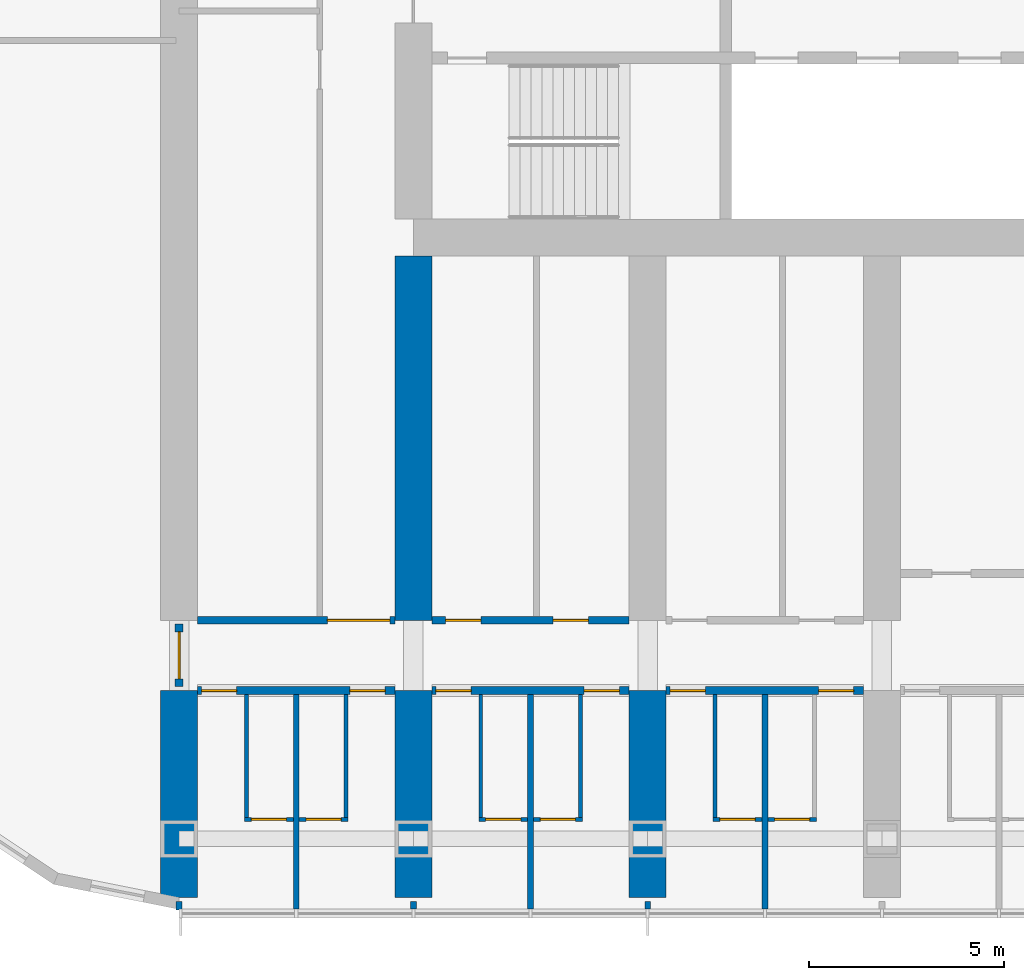
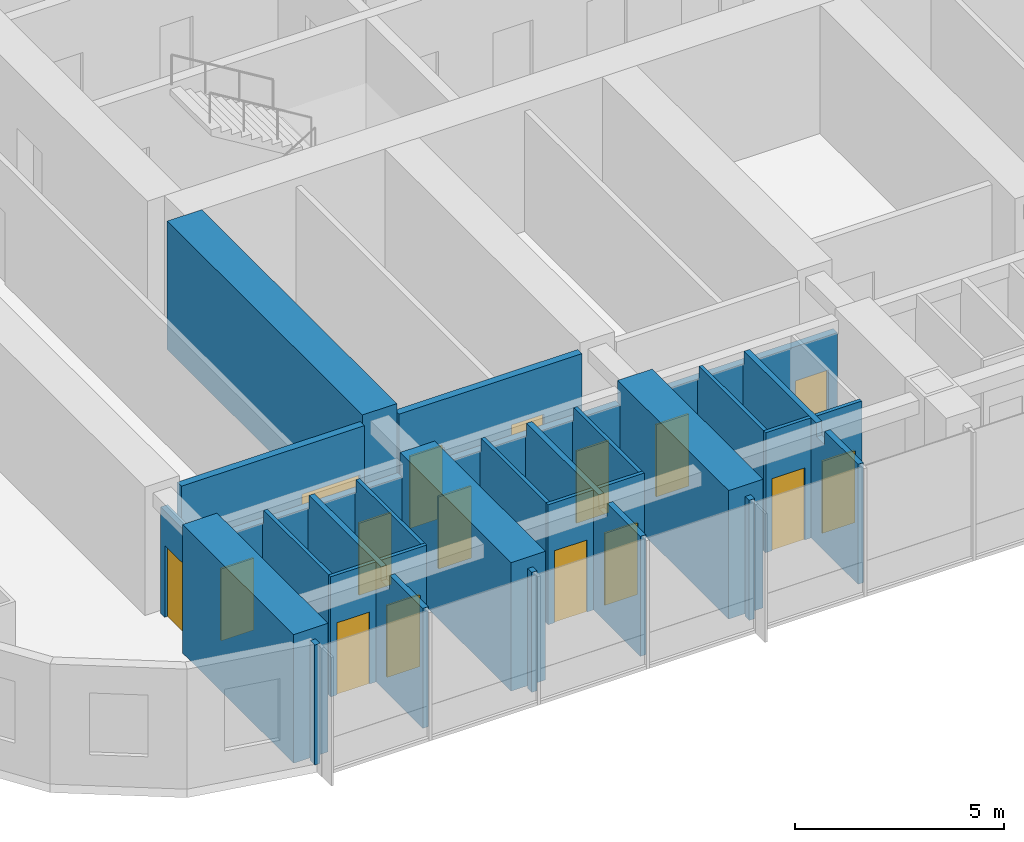
# One storey, part 8 of 22: 27 walls, 16 doors, 16 openings.
"""IFC4 building model written with IfcOpenShell, lengths in metres."""

from ifc_helpers import new_model, si_unit, direction, frame, frame_2d, origin, place, context, subcontext, project, spatial, polyline, rectangle, outline, extrude, material, layer, layer_set, type_object, element, fill, save


model = new_model("IFC4")

# Units and contexts
model_context = context("Model", 3, precision=1e-05, world=origin(), true_north=direction((0.0, 1.0)))
body_context = subcontext(model_context, "Body", "Model", "MODEL_VIEW")
ifc_project = project(units=[si_unit("LENGTHUNIT", "METRE"), si_unit("AREAUNIT", "SQUARE_METRE"), si_unit("VOLUMEUNIT", "CUBIC_METRE"), si_unit("PLANEANGLEUNIT", "RADIAN"), si_unit("MASSUNIT", "GRAM", prefix="KILO")], contexts=[model_context])

# Site, building, storey
site_placement = place(None, origin())
site = spatial("IfcSite", under=ifc_project, at=site_placement, CompositionType="ELEMENT")
building_placement = place(site_placement, origin())
building = spatial("IfcBuilding", under=site, at=building_placement, Name="Orbita Commons", CompositionType="ELEMENT")
storey_placement = place(building_placement, frame((0.0, 0.0, 121.89990234375)))
storey = spatial("IfcBuildingStorey", under=building, at=storey_placement, Name="L30", CompositionType="ELEMENT", Elevation=121.89990234375)

# Wall, openings, doors
ifc_material_1 = material(Name="Concrete blockwork", Category="masonry")
ifc_layer_1 = layer(ifc_material_1, 0.199951171875)
ifc_layer_set_1 = layer_set([ifc_layer_1], Name="Concrete blockwork")
wall_type_1 = type_object("IfcWallType", Name="Corridor wall 200 blockwork", PredefinedType="SOLIDWALL", material=ifc_layer_set_1)
wall_1_placement = place(storey_placement, frame((12.47509765625, 14.199951171875, 0.0), z_axis=(0.0, 0.0, 1.0), x_axis=(1.0, 0.0, 0.0)))
wall_1 = element("IfcWall", 1, at=wall_1_placement, inside=storey, type_object=wall_type_1, Name="Corridor wall 200 blockwork L30", PredefinedType="SOLIDWALL", context=body_context, shape_type="SweptSolid", body=[
    extrude(outline(polyline([(0.0, 0.0), (5.0498046875, 0.0), (5.050048828125, 3.10009765625), (0.0, 3.10009765625), (0.0, 0.0)])), frame((0.0, 0.10009765625, 0.0), z_axis=(0.0, -1.0, 0.0), x_axis=(1.0, 0.0, 0.0)), (0.0, 0.0, 1.0), 0.199951171875),
])
opening_1_placement = place(wall_1_placement, frame((0.10009765625, 0.0, 0.0)))
opening_1 = element("IfcOpeningElement", 2, at=opening_1_placement, cuts=wall_1, Name="Opening D11", PredefinedType="OPENING", context=body_context, shape_type="SweptSolid", body=[
    extrude(rectangle(XDim=0.89990234375, YDim=2.10009765625, at=frame_2d((0.449951171875, 1.050048828125))), frame((0.0, 0.10986328125, 0.0), z_axis=(0.0, -1.0, 0.0), x_axis=(1.0, 0.0, 0.0)), (0.0, 0.0, 1.0), 0.219970703125),
])
opening_2_placement = place(wall_1_placement, frame((3.89990234375, 0.0, 0.0)))
opening_2 = element("IfcOpeningElement", 3, at=opening_2_placement, cuts=wall_1, Name="Opening D11", PredefinedType="OPENING", context=body_context, shape_type="SweptSolid", body=[
    extrude(rectangle(XDim=0.89990234375, YDim=2.10009765625, at=frame_2d((0.449951171875, 1.050048828125))), frame((0.0, 0.10986328125, 0.0), z_axis=(0.0, -1.0, 0.0), x_axis=(1.0, 0.0, 0.0)), (0.0, 0.0, 1.0), 0.219970703125),
])
ifc_material_2 = material(Name="Steel-faced fire door leaf", Category="steel")
door_type_1 = type_object("IfcDoorType", Name="Corridor door 20 min 900x2100", OperationType="SINGLE_SWING_LEFT", PredefinedType="DOOR", material=ifc_material_2)
door_1_placement = place(opening_1_placement, origin())
door_1 = element("IfcDoor", 4, at=door_1_placement, inside=storey, type_object=door_type_1, Name="Cluster bedroom L30-S00 door", OperationType="SINGLE_SWING_LEFT", OverallHeight=2.10009765625, OverallWidth=0.89990234375, PredefinedType="DOOR", context=body_context, shape_type="SweptSolid", body=[
    extrude(rectangle(XDim=0.89990234375, YDim=2.10009765625, at=frame_2d((0.449951171875, 1.050048828125))), frame((0.0, 0.02490234375, 0.0), z_axis=(0.0, -1.0, 0.0), x_axis=(1.0, 0.0, 0.0)), (0.0, 0.0, 1.0), 0.050048828125),
])
fill(opening_1, door_1)
door_2_placement = place(opening_2_placement, origin())
door_2 = element("IfcDoor", 5, at=door_2_placement, inside=storey, type_object=door_type_1, Name="Cluster bedroom L30-S01 door", OperationType="SINGLE_SWING_LEFT", OverallHeight=2.10009765625, OverallWidth=0.89990234375, PredefinedType="DOOR", context=body_context, shape_type="SweptSolid", body=[
    extrude(rectangle(XDim=0.89990234375, YDim=2.10009765625, at=frame_2d((0.449951171875, 1.050048828125))), frame((0.0, 0.02490234375, 0.0), z_axis=(0.0, -1.0, 0.0), x_axis=(1.0, 0.0, 0.0)), (0.0, 0.0, 1.0), 0.050048828125),
])
fill(opening_2, door_2)

wall_2_placement = place(storey_placement, frame((18.47509765625, 14.199951171875, 0.0), z_axis=(0.0, 0.0, 1.0), x_axis=(1.0, 0.0, 0.0)))
wall_2 = element("IfcWall", 6, at=wall_2_placement, inside=storey, type_object=wall_type_1, Name="Corridor wall 200 blockwork L30", PredefinedType="SOLIDWALL", context=body_context, shape_type="SweptSolid", body=[
    extrude(outline(polyline([(0.0, 0.0), (5.0498046875, 0.0), (5.050048828125, 3.10009765625), (0.0, 3.10009765625), (0.0, 0.0)])), frame((0.0, 0.10009765625, 0.0), z_axis=(0.0, -1.0, 0.0), x_axis=(1.0, 0.0, 0.0)), (0.0, 0.0, 1.0), 0.199951171875),
])
opening_3_placement = place(wall_2_placement, frame((0.10009765625, 0.0, 0.0)))
opening_3 = element("IfcOpeningElement", 7, at=opening_3_placement, cuts=wall_2, Name="Opening D11", PredefinedType="OPENING", context=body_context, shape_type="SweptSolid", body=[
    extrude(rectangle(XDim=0.89990234375, YDim=2.10009765625, at=frame_2d((0.449951171875, 1.050048828125))), frame((0.0, 0.10986328125, 0.0), z_axis=(0.0, -1.0, 0.0), x_axis=(1.0, 0.0, 0.0)), (0.0, 0.0, 1.0), 0.219970703125),
])
opening_4_placement = place(wall_2_placement, frame((3.89990234375, 0.0, 0.0)))
opening_4 = element("IfcOpeningElement", 8, at=opening_4_placement, cuts=wall_2, Name="Opening D11", PredefinedType="OPENING", context=body_context, shape_type="SweptSolid", body=[
    extrude(rectangle(XDim=0.89990234375, YDim=2.10009765625, at=frame_2d((0.449951171875, 1.050048828125))), frame((0.0, 0.10986328125, 0.0), z_axis=(0.0, -1.0, 0.0), x_axis=(1.0, 0.0, 0.0)), (0.0, 0.0, 1.0), 0.219970703125),
])
door_3_placement = place(opening_3_placement, origin())
door_3 = element("IfcDoor", 9, at=door_3_placement, inside=storey, type_object=door_type_1, Name="Cluster bedroom L30-S02 door", OperationType="SINGLE_SWING_LEFT", OverallHeight=2.10009765625, OverallWidth=0.89990234375, PredefinedType="DOOR", context=body_context, shape_type="SweptSolid", body=[
    extrude(rectangle(XDim=0.89990234375, YDim=2.10009765625, at=frame_2d((0.449951171875, 1.050048828125))), frame((0.0, 0.02490234375, 0.0), z_axis=(0.0, -1.0, 0.0), x_axis=(1.0, 0.0, 0.0)), (0.0, 0.0, 1.0), 0.050048828125),
])
fill(opening_3, door_3)
door_4_placement = place(opening_4_placement, origin())
door_4 = element("IfcDoor", 10, at=door_4_placement, inside=storey, type_object=door_type_1, Name="Cluster bedroom L30-S03 door", OperationType="SINGLE_SWING_LEFT", OverallHeight=2.10009765625, OverallWidth=0.89990234375, PredefinedType="DOOR", context=body_context, shape_type="SweptSolid", body=[
    extrude(rectangle(XDim=0.89990234375, YDim=2.10009765625, at=frame_2d((0.449951171875, 1.050048828125))), frame((0.0, 0.02490234375, 0.0), z_axis=(0.0, -1.0, 0.0), x_axis=(1.0, 0.0, 0.0)), (0.0, 0.0, 1.0), 0.050048828125),
])
fill(opening_4, door_4)

wall_3_placement = place(storey_placement, frame((24.47509765625, 14.199951171875, 0.0), z_axis=(0.0, 0.0, 1.0), x_axis=(1.0, 0.0, 0.0)))
wall_3 = element("IfcWall", 11, at=wall_3_placement, inside=storey, type_object=wall_type_1, Name="Corridor wall 200 blockwork L30", PredefinedType="SOLIDWALL", context=body_context, shape_type="SweptSolid", body=[
    extrude(outline(polyline([(0.0, 0.0), (5.0498046875, 0.0), (5.050048828125, 3.10009765625), (0.0, 3.10009765625), (0.0, 0.0)])), frame((0.0, 0.10009765625, 0.0), z_axis=(0.0, -1.0, 0.0), x_axis=(1.0, 0.0, 0.0)), (0.0, 0.0, 1.0), 0.199951171875),
])
opening_5_placement = place(wall_3_placement, frame((0.10009765625, 0.0, 0.0)))
opening_5 = element("IfcOpeningElement", 12, at=opening_5_placement, cuts=wall_3, Name="Opening D11", PredefinedType="OPENING", context=body_context, shape_type="SweptSolid", body=[
    extrude(rectangle(XDim=0.89990234375, YDim=2.10009765625, at=frame_2d((0.449951171875, 1.050048828125))), frame((0.0, 0.10986328125, 0.0), z_axis=(0.0, -1.0, 0.0), x_axis=(1.0, 0.0, 0.0)), (0.0, 0.0, 1.0), 0.219970703125),
])
opening_6_placement = place(wall_3_placement, frame((3.89990234375, 0.0, 0.0)))
opening_6 = element("IfcOpeningElement", 13, at=opening_6_placement, cuts=wall_3, Name="Opening D11", PredefinedType="OPENING", context=body_context, shape_type="SweptSolid", body=[
    extrude(rectangle(XDim=0.89990234375, YDim=2.10009765625, at=frame_2d((0.449951171875, 1.050048828125))), frame((0.0, 0.10986328125, 0.0), z_axis=(0.0, -1.0, 0.0), x_axis=(1.0, 0.0, 0.0)), (0.0, 0.0, 1.0), 0.219970703125),
])
door_5_placement = place(opening_5_placement, origin())
door_5 = element("IfcDoor", 14, at=door_5_placement, inside=storey, type_object=door_type_1, Name="Cluster bedroom L30-S04 door", OperationType="SINGLE_SWING_LEFT", OverallHeight=2.10009765625, OverallWidth=0.89990234375, PredefinedType="DOOR", context=body_context, shape_type="SweptSolid", body=[
    extrude(rectangle(XDim=0.89990234375, YDim=2.10009765625, at=frame_2d((0.449951171875, 1.050048828125))), frame((0.0, 0.02490234375, 0.0), z_axis=(0.0, -1.0, 0.0), x_axis=(1.0, 0.0, 0.0)), (0.0, 0.0, 1.0), 0.050048828125),
])
fill(opening_5, door_5)
door_6_placement = place(opening_6_placement, origin())
door_6 = element("IfcDoor", 15, at=door_6_placement, inside=storey, type_object=door_type_1, Name="Cluster bedroom L30-S05 door", OperationType="SINGLE_SWING_LEFT", OverallHeight=2.10009765625, OverallWidth=0.89990234375, PredefinedType="DOOR", context=body_context, shape_type="SweptSolid", body=[
    extrude(rectangle(XDim=0.89990234375, YDim=2.10009765625, at=frame_2d((0.449951171875, 1.050048828125))), frame((0.0, 0.02490234375, 0.0), z_axis=(0.0, -1.0, 0.0), x_axis=(1.0, 0.0, 0.0)), (0.0, 0.0, 1.0), 0.050048828125),
])
fill(opening_6, door_6)

# Wall, opening, door
wall_4_placement = place(storey_placement, frame((12.0, 14.300048828125, 0.0), z_axis=(0.0, 0.0, 1.0), x_axis=(0.0, 1.0, 0.0)))
wall_4 = element("IfcWall", 16, at=wall_4_placement, inside=storey, type_object=wall_type_1, Name="Corridor wall 200 blockwork L30", PredefinedType="SOLIDWALL", context=body_context, shape_type="SweptSolid", body=[
    extrude(outline(polyline([(0.0, 0.0), (1.599853515625, 0.0), (1.60009765625, 3.10009765625), (0.0, 3.10009765625), (0.0, 0.0)])), frame((0.0, 0.10009765625, 0.0), z_axis=(0.0, -1.0, 0.0), x_axis=(1.0, 0.0, 0.0)), (0.0, 0.0, 1.0), 0.199951171875),
])
opening_7_placement = place(wall_4_placement, frame((0.199951171875, 0.0, 0.0)))
opening_7 = element("IfcOpeningElement", 17, at=opening_7_placement, cuts=wall_4, Name="Opening D12", PredefinedType="OPENING", context=body_context, shape_type="SweptSolid", body=[
    extrude(rectangle(XDim=1.199951171875, YDim=2.10009765625, at=frame_2d((0.60009765625, 1.050048828125))), frame((0.0, 0.10986328125, 0.0), z_axis=(0.0, -1.0, 0.0), x_axis=(1.0, 0.0, 0.0)), (0.0, 0.0, 1.0), 0.219970703125),
])
ifc_material_3 = material(Name="Steel-faced fire door leaf", Category="steel")
door_type_2 = type_object("IfcDoorType", Name="Double corridor door 20 min 1200x2100", OperationType="DOUBLE_DOOR_SINGLE_SWING", PredefinedType="DOOR", material=ifc_material_3)
door_7_placement = place(opening_7_placement, origin())
door_7 = element("IfcDoor", 18, at=door_7_placement, inside=storey, type_object=door_type_2, Name="Lounge doors", OperationType="DOUBLE_DOOR_SINGLE_SWING", OverallHeight=2.10009765625, OverallWidth=1.199951171875, PredefinedType="DOOR", context=body_context, shape_type="SweptSolid", body=[
    extrude(rectangle(XDim=1.199951171875, YDim=2.10009765625, at=frame_2d((0.60009765625, 1.050048828125))), frame((0.0, 0.02490234375, 0.0), z_axis=(0.0, -1.0, 0.0), x_axis=(1.0, 0.0, 0.0)), (0.0, 0.0, 1.0), 0.050048828125),
])
fill(opening_7, door_7)

ifc_material_4 = material(Name="Hollow concrete block 200", Category="concrete")
ifc_layer_2 = layer(ifc_material_4, 0.199951171875)
ifc_layer_set_2 = layer_set([ifc_layer_2], Name="Hollow concrete block 200")
wall_type_2 = type_object("IfcWallType", Name="Corridor wall 200 hollow concrete block", PredefinedType="SOLIDWALL", material=ifc_layer_set_2)
wall_5_placement = place(storey_placement, frame((12.47509765625, 16.0, 0.0), z_axis=(0.0, 0.0, 1.0), x_axis=(1.0, 0.0, 0.0)))
wall_5 = element("IfcWall", 19, at=wall_5_placement, inside=storey, type_object=wall_type_2, Name="Corridor wall 200 hollow concrete block L30", PredefinedType="SOLIDWALL", context=body_context, shape_type="SweptSolid", body=[
    extrude(rectangle(XDim=5.0498046875, YDim=0.199951171875, at=frame_2d((2.52490234375, 0.0))), origin(), (0.0, 0.0, 1.0), 3.5),
])
opening_8_placement = place(wall_5_placement, frame((3.324951171875, 0.0, 0.0)))
opening_8 = element("IfcOpeningElement", 20, at=opening_8_placement, cuts=wall_5, Name="Opening D10", PredefinedType="OPENING", context=body_context, shape_type="SweptSolid", body=[
    extrude(rectangle(XDim=1.60009765625, YDim=2.10009765625, at=frame_2d((0.800048828125, 1.050048828125))), frame((0.0, 0.10986328125, 0.0), z_axis=(0.0, -1.0, 0.0), x_axis=(1.0, 0.0, 0.0)), (0.0, 0.0, 1.0), 0.219970703125),
])
ifc_material_5 = material(Name="Steel-faced fire door leaf", Category="steel")
door_type_3 = type_object("IfcDoorType", Name="Double corridor door 20 min 1600x2100", OperationType="DOUBLE_DOOR_SINGLE_SWING", PredefinedType="DOOR", material=ifc_material_5)
door_8_placement = place(opening_8_placement, origin())
door_8 = element("IfcDoor", 21, at=door_8_placement, inside=storey, type_object=door_type_3, Name="Cross corridor doors", OperationType="DOUBLE_DOOR_SINGLE_SWING", OverallHeight=2.10009765625, OverallWidth=1.60009765625, PredefinedType="DOOR", context=body_context, shape_type="SweptSolid", body=[
    extrude(rectangle(XDim=1.60009765625, YDim=2.10009765625, at=frame_2d((0.800048828125, 1.050048828125))), frame((0.0, 0.02490234375, 0.0), z_axis=(0.0, -1.0, 0.0), x_axis=(1.0, 0.0, 0.0)), (0.0, 0.0, 1.0), 0.050048828125),
])
fill(opening_8, door_8)

# Wall, openings, doors
wall_6_placement = place(storey_placement, frame((18.47509765625, 16.0, 0.0), z_axis=(0.0, 0.0, 1.0), x_axis=(1.0, 0.0, 0.0)))
wall_6 = element("IfcWall", 22, at=wall_6_placement, inside=storey, type_object=wall_type_2, Name="Corridor wall 200 hollow concrete block L30", PredefinedType="SOLIDWALL", context=body_context, shape_type="SweptSolid", body=[
    extrude(rectangle(XDim=5.0498046875, YDim=0.199951171875, at=frame_2d((2.52490234375, 0.0))), origin(), (0.0, 0.0, 1.0), 3.5),
])
opening_9_placement = place(wall_6_placement, frame((0.35009765625, 0.0, 0.0)))
opening_9 = element("IfcOpeningElement", 23, at=opening_9_placement, cuts=wall_6, Name="Opening D11", PredefinedType="OPENING", context=body_context, shape_type="SweptSolid", body=[
    extrude(rectangle(XDim=0.89990234375, YDim=2.10009765625, at=frame_2d((0.449951171875, 1.050048828125))), frame((0.0, 0.10986328125, 0.0), z_axis=(0.0, -1.0, 0.0), x_axis=(1.0, 0.0, 0.0)), (0.0, 0.0, 1.0), 0.219970703125),
])
opening_10_placement = place(wall_6_placement, frame((3.10498046875, 0.0, 0.0)))
opening_10 = element("IfcOpeningElement", 24, at=opening_10_placement, cuts=wall_6, Name="Opening D11", PredefinedType="OPENING", context=body_context, shape_type="SweptSolid", body=[
    extrude(rectangle(XDim=0.89990234375, YDim=2.10009765625, at=frame_2d((0.449951171875, 1.050048828125))), frame((0.0, 0.10986328125, 0.0), z_axis=(0.0, -1.0, 0.0), x_axis=(1.0, 0.0, 0.0)), (0.0, 0.0, 1.0), 0.219970703125),
])
door_9_placement = place(opening_9_placement, origin())
door_9 = element("IfcDoor", 25, at=door_9_placement, inside=storey, type_object=door_type_1, Name="Accessible WC and shower room L30-BDS18n door", OperationType="SINGLE_SWING_LEFT", OverallHeight=2.10009765625, OverallWidth=0.89990234375, PredefinedType="DOOR", context=body_context, shape_type="SweptSolid", body=[
    extrude(rectangle(XDim=0.89990234375, YDim=2.10009765625, at=frame_2d((0.449951171875, 1.050048828125))), frame((0.0, 0.02490234375, 0.0), z_axis=(0.0, -1.0, 0.0), x_axis=(1.0, 0.0, 0.0)), (0.0, 0.0, 1.0), 0.050048828125),
])
fill(opening_9, door_9)
door_10_placement = place(opening_10_placement, origin())
door_10 = element("IfcDoor", 26, at=door_10_placement, inside=storey, type_object=door_type_1, Name="Meeting room L30-BDS18 door", OperationType="SINGLE_SWING_LEFT", OverallHeight=2.10009765625, OverallWidth=0.89990234375, PredefinedType="DOOR", context=body_context, shape_type="SweptSolid", body=[
    extrude(rectangle(XDim=0.89990234375, YDim=2.10009765625, at=frame_2d((0.449951171875, 1.050048828125))), frame((0.0, 0.02490234375, 0.0), z_axis=(0.0, -1.0, 0.0), x_axis=(1.0, 0.0, 0.0)), (0.0, 0.0, 1.0), 0.050048828125),
])
fill(opening_10, door_10)

# Walls
ifc_material_6 = material(Name="Concrete C50/60", Category="concrete")
ifc_layer_3 = layer(ifc_material_6, 0.949951171875)
ifc_layer_set_3 = layer_set([ifc_layer_3], Name="Concrete C50/60")
wall_type_3 = type_object("IfcWallType", Name="Cross wall 950 C50/60", PredefinedType="SHEAR", material=ifc_layer_set_3)
for number, where, z_axis, x_axis, name in (
    (27, (12.0, 8.89990234375, 0.0), (0.0, 0.0, 1.0), (0.0, 1.0, 0.0), "Cross wall 3 south outer L30"),
    (28, (18.0, 8.89990234375, 0.0), (0.0, 0.0, 1.0), (0.0, 1.0, 0.0), "Cross wall 4 south outer L30"),
):
    element("IfcWall", number, at=place(storey_placement, frame(where, z_axis=z_axis, x_axis=x_axis)), inside=storey, type_object=wall_type_3, Name=name, PredefinedType="SHEAR", context=body_context, shape_type="SweptSolid", body=[
        extrude(rectangle(XDim=5.300048828125, YDim=0.949951171875, at=frame_2d((2.64990234375, 0.0))), origin(), (0.0, 0.0, 1.0), 3.75),
    ])
wall_7_placement = place(storey_placement, frame((18.0, 16.0, 0.0), z_axis=(0.0, 0.0, 1.0), x_axis=(0.0, 1.0, 0.0)))
element("IfcWall", 29, at=wall_7_placement, inside=storey, type_object=wall_type_3, Name="Cross wall 4 south inner L30", PredefinedType="SHEAR", context=body_context, shape_type="SweptSolid", body=[
    extrude(rectangle(XDim=9.324951171875, YDim=0.949951171875, at=frame_2d((4.66259765625, 0.0))), origin(), (0.0, 0.0, 1.0), 3.75),
])
wall_8_placement = place(storey_placement, frame((24.0, 8.89990234375, 0.0), z_axis=(0.0, 0.0, 1.0), x_axis=(0.0, 1.0, 0.0)))
element("IfcWall", 30, at=wall_8_placement, inside=storey, type_object=wall_type_3, Name="Cross wall 5 south outer L30", PredefinedType="SHEAR", context=body_context, shape_type="SweptSolid", body=[
    extrude(rectangle(XDim=5.300048828125, YDim=0.949951171875, at=frame_2d((2.64990234375, 0.0))), origin(), (0.0, 0.0, 1.0), 3.75),
])

# Wall, opening, door
ifc_material_7 = material(Name="Moisture-resistant plasterboard on steel studs", Category="steel")
ifc_layer_4 = layer(ifc_material_7, 0.10009765625)
ifc_layer_set_4 = layer_set([ifc_layer_4], Name="Moisture-resistant plasterboard on steel studs")
wall_type_4 = type_object("IfcWallType", Name="En-suite partition 100", PredefinedType="PARTITIONING", material=ifc_layer_set_4)
wall_9_placement = place(storey_placement, frame((14.925048828125, 10.89990234375, 0.0), z_axis=(0.0, 0.0, 1.0), x_axis=(-1.0, 0.0, 0.0)))
wall_9 = element("IfcWall", 31, at=wall_9_placement, inside=storey, type_object=wall_type_4, Name="En-suite partition 100 L30", PredefinedType="PARTITIONING", context=body_context, shape_type="SweptSolid", body=[
    extrude(rectangle(XDim=1.25, YDim=0.10009765625, at=frame_2d((0.625, 0.0))), origin(), (0.0, 0.0, 1.0), 3.5),
])
opening_11_placement = place(wall_9_placement, frame((0.175048828125, 0.0, 0.0)))
opening_11 = element("IfcOpeningElement", 32, at=opening_11_placement, cuts=wall_9, Name="Opening D09", PredefinedType="OPENING", context=body_context, shape_type="SweptSolid", body=[
    extrude(rectangle(XDim=0.89990234375, YDim=2.10009765625, at=frame_2d((0.449951171875, 1.050048828125))), frame((0.0, 0.06005859375, 0.0), z_axis=(0.0, -1.0, 0.0), x_axis=(1.0, 0.0, 0.0)), (0.0, 0.0, 1.0), 0.1201171875),
])
ifc_material_8 = material(Name="Laminated timber door leaf", Category="wood")
door_type_4 = type_object("IfcDoorType", Name="En-suite door 900x2100", OperationType="SINGLE_SWING_RIGHT", PredefinedType="DOOR", material=ifc_material_8)
door_11_placement = place(opening_11_placement, origin())
door_11 = element("IfcDoor", 33, at=door_11_placement, inside=storey, type_object=door_type_4, Name="En-suite L30-S00 door", OperationType="SINGLE_SWING_RIGHT", OverallHeight=2.10009765625, OverallWidth=0.89990234375, PredefinedType="DOOR", context=body_context, shape_type="SweptSolid", body=[
    extrude(rectangle(XDim=0.89990234375, YDim=2.10009765625, at=frame_2d((0.449951171875, 1.050048828125))), frame((0.0, 0.02490234375, 0.0), z_axis=(0.0, -1.0, 0.0), x_axis=(1.0, 0.0, 0.0)), (0.0, 0.0, 1.0), 0.050048828125),
])
fill(opening_11, door_11)

# Wall
wall_10_placement = place(storey_placement, frame((13.72509765625, 10.949951171875, 0.0), z_axis=(0.0, 0.0, 1.0), x_axis=(0.0, 1.0, 0.0)))
element("IfcWall", 34, at=wall_10_placement, inside=storey, type_object=wall_type_4, Name="En-suite partition 100 L30", PredefinedType="PARTITIONING", context=body_context, shape_type="SweptSolid", body=[
    extrude(outline(polyline([(0.0, 0.0), (3.150146484375, 0.0), (3.14990234375, 3.10009765625), (3.10205078125, 3.10009765625), (3.10009765625, 3.5), (0.0, 3.5), (0.0, 0.0)])), frame((0.0, 0.050048828125, 0.0), z_axis=(0.0, -1.0, 0.0), x_axis=(1.0, 0.0, 0.0)), (0.0, 0.0, 1.0), 0.10009765625),
])

# Wall, opening, door
wall_11_placement = place(storey_placement, frame((16.324951171875, 10.89990234375, 0.0), z_axis=(0.0, 0.0, 1.0), x_axis=(-1.0, 0.0, 0.0)))
wall_11 = element("IfcWall", 35, at=wall_11_placement, inside=storey, type_object=wall_type_4, Name="En-suite partition 100 L30", PredefinedType="PARTITIONING", context=body_context, shape_type="SweptSolid", body=[
    extrude(rectangle(XDim=1.25, YDim=0.10009765625, at=frame_2d((0.625, 0.0))), origin(), (0.0, 0.0, 1.0), 3.5),
])
opening_12_placement = place(wall_11_placement, frame((0.175048828125, 0.0, 0.0)))
opening_12 = element("IfcOpeningElement", 36, at=opening_12_placement, cuts=wall_11, Name="Opening D09", PredefinedType="OPENING", context=body_context, shape_type="SweptSolid", body=[
    extrude(rectangle(XDim=0.89990234375, YDim=2.10009765625, at=frame_2d((0.449951171875, 1.050048828125))), frame((0.0, 0.06005859375, 0.0), z_axis=(0.0, -1.0, 0.0), x_axis=(1.0, 0.0, 0.0)), (0.0, 0.0, 1.0), 0.1201171875),
])
door_12_placement = place(opening_12_placement, origin())
door_12 = element("IfcDoor", 37, at=door_12_placement, inside=storey, type_object=door_type_4, Name="En-suite L30-S01 door", OperationType="SINGLE_SWING_RIGHT", OverallHeight=2.10009765625, OverallWidth=0.89990234375, PredefinedType="DOOR", context=body_context, shape_type="SweptSolid", body=[
    extrude(rectangle(XDim=0.89990234375, YDim=2.10009765625, at=frame_2d((0.449951171875, 1.050048828125))), frame((0.0, 0.02490234375, 0.0), z_axis=(0.0, -1.0, 0.0), x_axis=(1.0, 0.0, 0.0)), (0.0, 0.0, 1.0), 0.050048828125),
])
fill(opening_12, door_12)

# Wall
wall_12_placement = place(storey_placement, frame((16.27490234375, 10.949951171875, 0.0), z_axis=(0.0, 0.0, 1.0), x_axis=(0.0, 1.0, 0.0)))
element("IfcWall", 38, at=wall_12_placement, inside=storey, type_object=wall_type_4, Name="En-suite partition 100 L30", PredefinedType="PARTITIONING", context=body_context, shape_type="SweptSolid", body=[
    extrude(outline(polyline([(0.0, 0.0), (3.150146484375, 0.0), (3.14990234375, 3.10009765625), (3.10205078125, 3.10009765625), (3.10009765625, 3.5), (0.0, 3.5), (0.0, 0.0)])), frame((0.0, 0.050048828125, 0.0), z_axis=(0.0, -1.0, 0.0), x_axis=(1.0, 0.0, 0.0)), (0.0, 0.0, 1.0), 0.10009765625),
])

# Wall, opening, door
wall_13_placement = place(storey_placement, frame((20.925048828125, 10.89990234375, 0.0), z_axis=(0.0, 0.0, 1.0), x_axis=(-1.0, 0.0, 0.0)))
wall_13 = element("IfcWall", 39, at=wall_13_placement, inside=storey, type_object=wall_type_4, Name="En-suite partition 100 L30", PredefinedType="PARTITIONING", context=body_context, shape_type="SweptSolid", body=[
    extrude(rectangle(XDim=1.25, YDim=0.10009765625, at=frame_2d((0.625, 0.0))), origin(), (0.0, 0.0, 1.0), 3.5),
])
opening_13_placement = place(wall_13_placement, frame((0.175048828125, 0.0, 0.0)))
opening_13 = element("IfcOpeningElement", 40, at=opening_13_placement, cuts=wall_13, Name="Opening D09", PredefinedType="OPENING", context=body_context, shape_type="SweptSolid", body=[
    extrude(rectangle(XDim=0.89990234375, YDim=2.10009765625, at=frame_2d((0.449951171875, 1.050048828125))), frame((0.0, 0.06005859375, 0.0), z_axis=(0.0, -1.0, 0.0), x_axis=(1.0, 0.0, 0.0)), (0.0, 0.0, 1.0), 0.1201171875),
])
door_13_placement = place(opening_13_placement, origin())
door_13 = element("IfcDoor", 41, at=door_13_placement, inside=storey, type_object=door_type_4, Name="En-suite L30-S02 door", OperationType="SINGLE_SWING_RIGHT", OverallHeight=2.10009765625, OverallWidth=0.89990234375, PredefinedType="DOOR", context=body_context, shape_type="SweptSolid", body=[
    extrude(rectangle(XDim=0.89990234375, YDim=2.10009765625, at=frame_2d((0.449951171875, 1.050048828125))), frame((0.0, 0.02490234375, 0.0), z_axis=(0.0, -1.0, 0.0), x_axis=(1.0, 0.0, 0.0)), (0.0, 0.0, 1.0), 0.050048828125),
])
fill(opening_13, door_13)

# Wall
wall_14_placement = place(storey_placement, frame((19.72509765625, 10.949951171875, 0.0), z_axis=(0.0, 0.0, 1.0), x_axis=(0.0, 1.0, 0.0)))
element("IfcWall", 42, at=wall_14_placement, inside=storey, type_object=wall_type_4, Name="En-suite partition 100 L30", PredefinedType="PARTITIONING", context=body_context, shape_type="SweptSolid", body=[
    extrude(outline(polyline([(0.0, 0.0), (3.150146484375, 0.0), (3.14990234375, 3.10009765625), (3.10205078125, 3.10009765625), (3.10009765625, 3.5), (0.0, 3.5), (0.0, 0.0)])), frame((0.0, 0.050048828125, 0.0), z_axis=(0.0, -1.0, 0.0), x_axis=(1.0, 0.0, 0.0)), (0.0, 0.0, 1.0), 0.10009765625),
])

# Wall, opening, door
wall_15_placement = place(storey_placement, frame((22.324951171875, 10.89990234375, 0.0), z_axis=(0.0, 0.0, 1.0), x_axis=(-1.0, 0.0, 0.0)))
wall_15 = element("IfcWall", 43, at=wall_15_placement, inside=storey, type_object=wall_type_4, Name="En-suite partition 100 L30", PredefinedType="PARTITIONING", context=body_context, shape_type="SweptSolid", body=[
    extrude(rectangle(XDim=1.25, YDim=0.10009765625, at=frame_2d((0.625, 0.0))), origin(), (0.0, 0.0, 1.0), 3.5),
])
opening_14_placement = place(wall_15_placement, frame((0.175048828125, 0.0, 0.0)))
opening_14 = element("IfcOpeningElement", 44, at=opening_14_placement, cuts=wall_15, Name="Opening D09", PredefinedType="OPENING", context=body_context, shape_type="SweptSolid", body=[
    extrude(rectangle(XDim=0.89990234375, YDim=2.10009765625, at=frame_2d((0.449951171875, 1.050048828125))), frame((0.0, 0.06005859375, 0.0), z_axis=(0.0, -1.0, 0.0), x_axis=(1.0, 0.0, 0.0)), (0.0, 0.0, 1.0), 0.1201171875),
])
door_14_placement = place(opening_14_placement, origin())
door_14 = element("IfcDoor", 45, at=door_14_placement, inside=storey, type_object=door_type_4, Name="En-suite L30-S03 door", OperationType="SINGLE_SWING_RIGHT", OverallHeight=2.10009765625, OverallWidth=0.89990234375, PredefinedType="DOOR", context=body_context, shape_type="SweptSolid", body=[
    extrude(rectangle(XDim=0.89990234375, YDim=2.10009765625, at=frame_2d((0.449951171875, 1.050048828125))), frame((0.0, 0.02490234375, 0.0), z_axis=(0.0, -1.0, 0.0), x_axis=(1.0, 0.0, 0.0)), (0.0, 0.0, 1.0), 0.050048828125),
])
fill(opening_14, door_14)

# Wall
wall_16_placement = place(storey_placement, frame((22.27490234375, 10.949951171875, 0.0), z_axis=(0.0, 0.0, 1.0), x_axis=(0.0, 1.0, 0.0)))
element("IfcWall", 46, at=wall_16_placement, inside=storey, type_object=wall_type_4, Name="En-suite partition 100 L30", PredefinedType="PARTITIONING", context=body_context, shape_type="SweptSolid", body=[
    extrude(outline(polyline([(0.0, 0.0), (3.150146484375, 0.0), (3.14990234375, 3.10009765625), (3.10205078125, 3.10009765625), (3.10009765625, 3.5), (0.0, 3.5), (0.0, 0.0)])), frame((0.0, 0.050048828125, 0.0), z_axis=(0.0, -1.0, 0.0), x_axis=(1.0, 0.0, 0.0)), (0.0, 0.0, 1.0), 0.10009765625),
])

# Wall, opening, door
wall_17_placement = place(storey_placement, frame((26.925048828125, 10.89990234375, 0.0), z_axis=(0.0, 0.0, 1.0), x_axis=(-1.0, 0.0, 0.0)))
wall_17 = element("IfcWall", 47, at=wall_17_placement, inside=storey, type_object=wall_type_4, Name="En-suite partition 100 L30", PredefinedType="PARTITIONING", context=body_context, shape_type="SweptSolid", body=[
    extrude(rectangle(XDim=1.25, YDim=0.10009765625, at=frame_2d((0.625, 0.0))), origin(), (0.0, 0.0, 1.0), 3.5),
])
opening_15_placement = place(wall_17_placement, frame((0.175048828125, 0.0, 0.0)))
opening_15 = element("IfcOpeningElement", 48, at=opening_15_placement, cuts=wall_17, Name="Opening D09", PredefinedType="OPENING", context=body_context, shape_type="SweptSolid", body=[
    extrude(rectangle(XDim=0.89990234375, YDim=2.10009765625, at=frame_2d((0.449951171875, 1.050048828125))), frame((0.0, 0.06005859375, 0.0), z_axis=(0.0, -1.0, 0.0), x_axis=(1.0, 0.0, 0.0)), (0.0, 0.0, 1.0), 0.1201171875),
])
door_15_placement = place(opening_15_placement, origin())
door_15 = element("IfcDoor", 49, at=door_15_placement, inside=storey, type_object=door_type_4, Name="En-suite L30-S04 door", OperationType="SINGLE_SWING_RIGHT", OverallHeight=2.10009765625, OverallWidth=0.89990234375, PredefinedType="DOOR", context=body_context, shape_type="SweptSolid", body=[
    extrude(rectangle(XDim=0.89990234375, YDim=2.10009765625, at=frame_2d((0.449951171875, 1.050048828125))), frame((0.0, 0.02490234375, 0.0), z_axis=(0.0, -1.0, 0.0), x_axis=(1.0, 0.0, 0.0)), (0.0, 0.0, 1.0), 0.050048828125),
])
fill(opening_15, door_15)

# Wall
wall_18_placement = place(storey_placement, frame((25.72509765625, 10.949951171875, 0.0), z_axis=(0.0, 0.0, 1.0), x_axis=(0.0, 1.0, 0.0)))
element("IfcWall", 50, at=wall_18_placement, inside=storey, type_object=wall_type_4, Name="En-suite partition 100 L30", PredefinedType="PARTITIONING", context=body_context, shape_type="SweptSolid", body=[
    extrude(outline(polyline([(0.0, 0.0), (3.150146484375, 0.0), (3.14990234375, 3.10009765625), (3.10205078125, 3.10009765625), (3.10009765625, 3.5), (0.0, 3.5), (0.0, 0.0)])), frame((0.0, 0.050048828125, 0.0), z_axis=(0.0, -1.0, 0.0), x_axis=(1.0, 0.0, 0.0)), (0.0, 0.0, 1.0), 0.10009765625),
])

# Wall, opening, door
wall_19_placement = place(storey_placement, frame((28.324951171875, 10.89990234375, 0.0), z_axis=(0.0, 0.0, 1.0), x_axis=(-1.0, 0.0, 0.0)))
wall_19 = element("IfcWall", 51, at=wall_19_placement, inside=storey, type_object=wall_type_4, Name="En-suite partition 100 L30", PredefinedType="PARTITIONING", context=body_context, shape_type="SweptSolid", body=[
    extrude(rectangle(XDim=1.25, YDim=0.10009765625, at=frame_2d((0.625, 0.0))), origin(), (0.0, 0.0, 1.0), 3.5),
])
opening_16_placement = place(wall_19_placement, frame((0.175048828125, 0.0, 0.0)))
opening_16 = element("IfcOpeningElement", 52, at=opening_16_placement, cuts=wall_19, Name="Opening D09", PredefinedType="OPENING", context=body_context, shape_type="SweptSolid", body=[
    extrude(rectangle(XDim=0.89990234375, YDim=2.10009765625, at=frame_2d((0.449951171875, 1.050048828125))), frame((0.0, 0.06005859375, 0.0), z_axis=(0.0, -1.0, 0.0), x_axis=(1.0, 0.0, 0.0)), (0.0, 0.0, 1.0), 0.1201171875),
])
door_16_placement = place(opening_16_placement, origin())
door_16 = element("IfcDoor", 53, at=door_16_placement, inside=storey, type_object=door_type_4, Name="En-suite L30-S05 door", OperationType="SINGLE_SWING_RIGHT", OverallHeight=2.10009765625, OverallWidth=0.89990234375, PredefinedType="DOOR", context=body_context, shape_type="SweptSolid", body=[
    extrude(rectangle(XDim=0.89990234375, YDim=2.10009765625, at=frame_2d((0.449951171875, 1.050048828125))), frame((0.0, 0.02490234375, 0.0), z_axis=(0.0, -1.0, 0.0), x_axis=(1.0, 0.0, 0.0)), (0.0, 0.0, 1.0), 0.050048828125),
])
fill(opening_16, door_16)

# Walls
ifc_material_9 = material(Name="Gypsum plasterboard on steel studs", Category="steel")
ifc_layer_5 = layer(ifc_material_9, 0.14990234375)
ifc_layer_set_5 = layer_set([ifc_layer_5], Name="Gypsum plasterboard on steel studs")
wall_type_5 = type_object("IfcWallType", Name="Partition 150 plasterboard", PredefinedType="PARTITIONING", material=ifc_layer_set_5)
wall_20_placement = place(storey_placement, frame((12.0, 8.800048828125, 0.0), z_axis=(0.0, 0.0, 1.0), x_axis=(0.0, -1.0, 0.0)))
element("IfcWall", 54, at=wall_20_placement, inside=storey, type_object=wall_type_5, Name="Partition 150 plasterboard L30", PredefinedType="PARTITIONING", context=body_context, shape_type="SweptSolid", body=[
    extrude(rectangle(XDim=0.219970703125, YDim=0.14990234375, at=frame_2d((0.10986328125, 0.0))), origin(), (0.0, 0.0, 1.0), 3.5),
])
for number, where, z_axis, x_axis, name in (
    (55, (18.0, 8.800048828125, 0.0), (0.0, 0.0, 1.0), (0.0, -1.0, 0.0), "Partition 150 plasterboard L30"),
    (56, (24.0, 8.800048828125, 0.0), (0.0, 0.0, 1.0), (0.0, -1.0, 0.0), "Partition 150 plasterboard L30"),
):
    element("IfcWall", number, at=place(storey_placement, frame(where, z_axis=z_axis, x_axis=x_axis)), inside=storey, type_object=wall_type_5, Name=name, PredefinedType="PARTITIONING", context=body_context, shape_type="SweptSolid", body=[
        extrude(rectangle(XDim=0.18994140625, YDim=0.14990234375, at=frame_2d((0.094970703125, 0.0))), origin(), (0.0, 0.0, 1.0), 3.5),
    ])
ifc_material_10 = material(Name="Gypsum plasterboard on steel studs", Category="steel")
ifc_layer_6 = layer(ifc_material_10, 0.14990234375)
ifc_layer_set_6 = layer_set([ifc_layer_6], Name="Gypsum plasterboard on steel studs")
wall_type_6 = type_object("IfcWallType", Name="Party wall 150 plasterboard", PredefinedType="PARTITIONING", material=ifc_layer_set_6)
for number, where, z_axis, x_axis, name in (
    (57, (15.0, 8.610107421875, 0.0), (0.0, 0.0, 1.0), (0.0, 1.0, 0.0), "Party wall 150 plasterboard L30"),
    (58, (21.0, 8.610107421875, 0.0), (0.0, 0.0, 1.0), (0.0, 1.0, 0.0), "Party wall 150 plasterboard L30"),
    (59, (27.0, 8.610107421875, 0.0), (0.0, 0.0, 1.0), (0.0, 1.0, 0.0), "Party wall 150 plasterboard L30"),
):
    element("IfcWall", number, at=place(storey_placement, frame(where, z_axis=z_axis, x_axis=x_axis)), inside=storey, type_object=wall_type_6, Name=name, PredefinedType="PARTITIONING", context=body_context, shape_type="SweptSolid", body=[
        extrude(outline(polyline([(0.0, 0.0), (5.489990234375, 0.0), (5.489990234375, 3.10009765625), (5.44189453125, 3.10009765625), (5.43994140625, 3.5), (1.991943359375, 3.5), (1.989990234375, 3.10009765625), (1.592041015625, 3.10009765625), (1.590087890625, 3.5), (0.0, 3.5), (0.0, 0.0)])), frame((0.0, 0.074951171875, 0.0), z_axis=(0.0, -1.0, 0.0), x_axis=(1.0, 0.0, 0.0)), (0.0, 0.0, 1.0), 0.14990234375),
    ])

save(model, "model.ifc")
